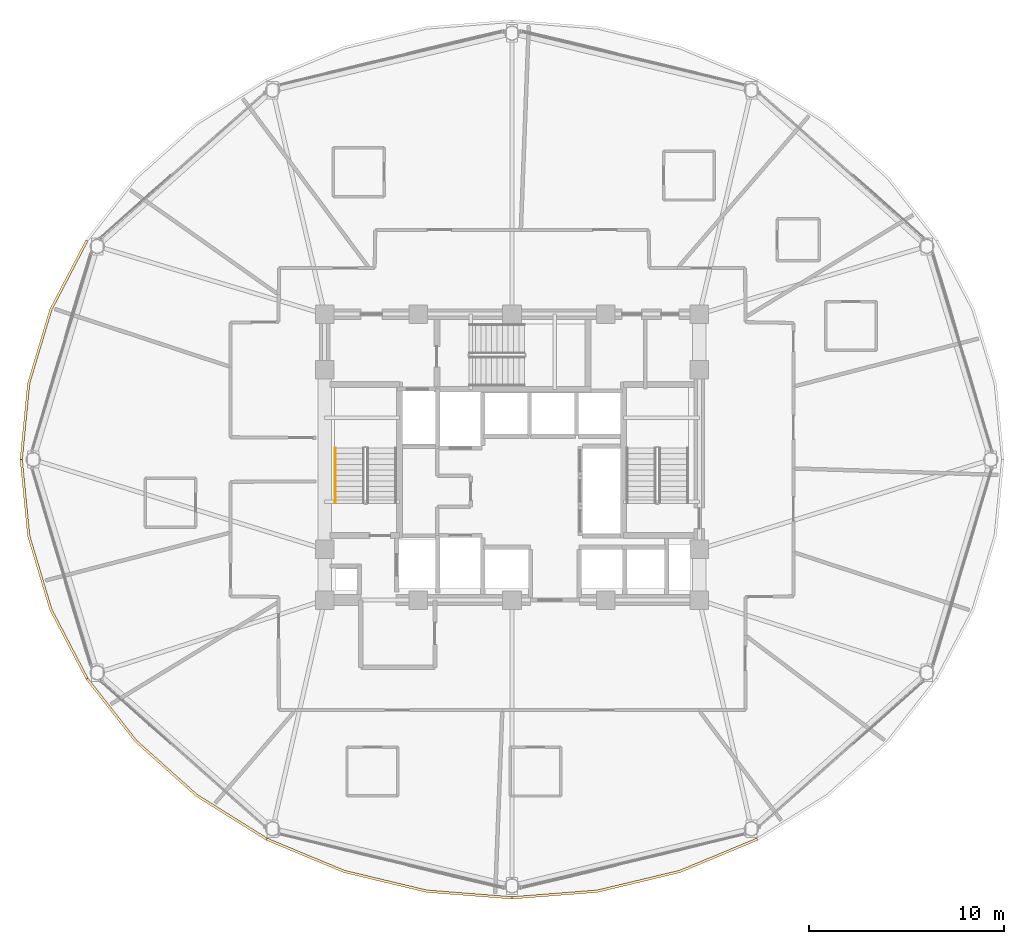
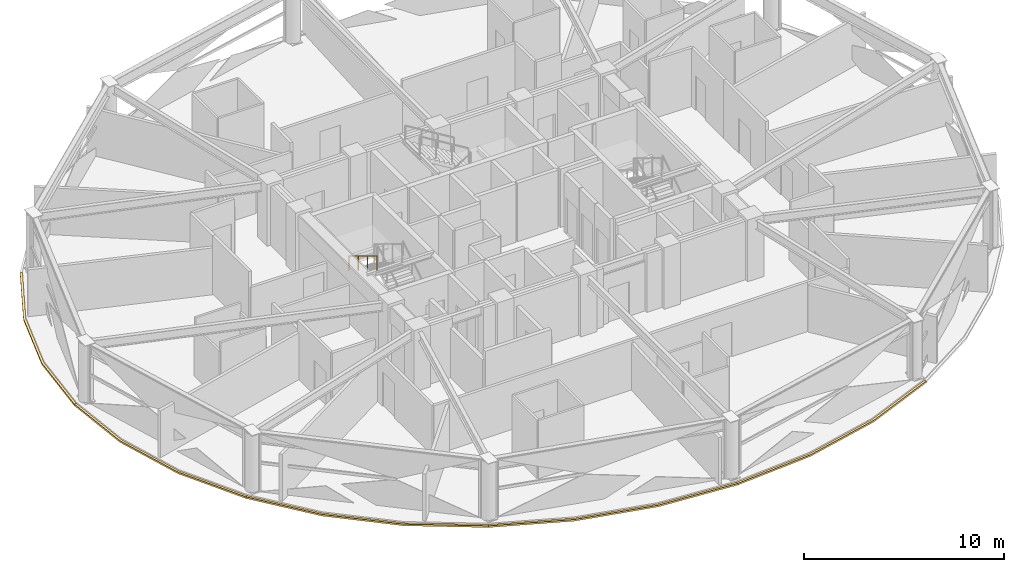
# One storey, part 26 of 29: 5 coverings, 1 railing.
"""IFC4 building model written with IfcOpenShell, lengths in metres."""

from ifc_helpers import new_model, si_unit, direction, frame, origin, origin_2d, place, context, subcontext, project, spatial, polyline, rectangle, outline, extrude, material, layer, layer_set, type_object, element, save


model = new_model("IFC4")

# Units and contexts
model_context = context("Model", 3, precision=1e-05, world=origin(), true_north=direction((0.0, 1.0)))
body_context = subcontext(model_context, "Body", "Model", "MODEL_VIEW")
ifc_project = project(units=[si_unit("LENGTHUNIT", "METRE"), si_unit("AREAUNIT", "SQUARE_METRE"), si_unit("VOLUMEUNIT", "CUBIC_METRE"), si_unit("PLANEANGLEUNIT", "RADIAN"), si_unit("MASSUNIT", "GRAM", prefix="KILO")], contexts=[model_context])

# Site, building, storey
site_placement = place(None, origin())
site = spatial("IfcSite", under=ifc_project, at=site_placement, CompositionType="ELEMENT")
building_placement = place(site_placement, origin())
building = spatial("IfcBuilding", under=site, at=building_placement, Name="Vantalir Tower", CompositionType="ELEMENT")
storey_placement = place(building_placement, frame((0.0, 0.0, 168.449951171875)))
storey = spatial("IfcBuildingStorey", under=building, at=storey_placement, Name="L42", CompositionType="ELEMENT", Elevation=168.449951171875)

# Coverings
ifc_material_1 = material(Name="Anodised champagne aluminium sill fascia", Category="aluminium")
ifc_layer = layer(ifc_material_1, 0.125)
ifc_layer_set = layer_set([ifc_layer], Name="Anodised champagne aluminium sill fascia")
covering_type = type_object("IfcCoveringType", Name="COV-SLAB-FASCIA-125", PredefinedType="CLADDING", material=ifc_layer_set)
covering_1_placement = place(storey_placement, frame((0.0, 0.0, -0.179931640625)))
element("IfcCovering", 1, at=covering_1_placement, inside=storey, type_object=covering_type, Name="L42 Perimeter Slab-Edge Sill Fascia 06", PredefinedType="CLADDING", context=body_context, shape_type="SweptSolid", body=[
    extrude(outline(polyline([(9.6669921875, 36.260986328125), (7.80908203125, 32.702880859375), (6.672119140625, 28.910888671875), (6.2890625, 25.0), (6.4140625, 25.0), (6.794921875, 28.888916015625), (7.927001953125, 32.660888671875), (9.77490234375, 36.198974609375), (9.6669921875, 36.260986328125)])), origin(), (0.0, 0.0, 1.0), 0.10498046875),
])
covering_2_placement = place(storey_placement, frame((0.0, 0.0, -0.179931640625)))
element("IfcCovering", 2, at=covering_2_placement, inside=storey, type_object=covering_type, Name="L42 Perimeter Slab-Edge Sill Fascia 07", PredefinedType="CLADDING", context=body_context, shape_type="SweptSolid", body=[
    extrude(outline(polyline([(6.2890625, 25.0), (6.672119140625, 21.089111328125), (7.80908203125, 17.297119140625), (9.6669921875, 13.738037109375), (9.77490234375, 13.801025390625), (7.927001953125, 17.339111328125), (6.794921875, 21.111083984375), (6.4140625, 25.0), (6.2890625, 25.0)])), origin(), (0.0, 0.0, 1.0), 0.10498046875),
])
covering_3_placement = place(storey_placement, frame((0.0, 0.0, -0.179931640625)))
element("IfcCovering", 3, at=covering_3_placement, inside=storey, type_object=covering_type, Name="L42 Perimeter Slab-Edge Sill Fascia 08", PredefinedType="CLADDING", context=body_context, shape_type="SweptSolid", body=[
    extrude(outline(polyline([(9.6669921875, 13.738037109375), (12.18701171875, 10.52197265625), (15.294921875, 7.74609375), (18.89404296875, 5.4951171875), (18.95703125, 5.60302734375), (15.375, 7.842041015625), (12.282958984375, 10.60302734375), (9.77490234375, 13.801025390625), (9.6669921875, 13.738037109375)])), origin(), (0.0, 0.0, 1.0), 0.10498046875),
])
covering_4_placement = place(storey_placement, frame((0.0, 0.0, -0.179931640625)))
element("IfcCovering", 4, at=covering_4_placement, inside=storey, type_object=covering_type, Name="L42 Perimeter Slab-Edge Sill Fascia 09", PredefinedType="CLADDING", context=body_context, shape_type="SweptSolid", body=[
    extrude(outline(polyline([(18.89404296875, 5.4951171875), (22.876953125, 3.8349609375), (27.1220703125, 2.819091796875), (31.5, 2.47705078125), (31.5, 2.60205078125), (27.14404296875, 2.94189453125), (22.919921875, 3.952880859375), (18.95703125, 5.60302734375), (18.89404296875, 5.4951171875)])), origin(), (0.0, 0.0, 1.0), 0.10498046875),
])
covering_5_placement = place(storey_placement, frame((0.0, 0.0, -0.179931640625)))
element("IfcCovering", 5, at=covering_5_placement, inside=storey, type_object=covering_type, Name="L42 Perimeter Slab-Edge Sill Fascia 10", PredefinedType="CLADDING", context=body_context, shape_type="SweptSolid", body=[
    extrude(outline(polyline([(31.5, 2.47705078125), (35.8779296875, 2.819091796875), (40.123046875, 3.8349609375), (44.10595703125, 5.4951171875), (44.04296875, 5.60302734375), (40.080078125, 3.952880859375), (35.85595703125, 2.94189453125), (31.5, 2.60205078125), (31.5, 2.47705078125)])), origin(), (0.0, 0.0, 1.0), 0.10498046875),
])

# Railing
ifc_material_2 = material(Name="Brushed stainless steel tubular handrail", Category="steel")
railing_type = type_object("IfcRailingType", Name="RAL-HANDRAIL-900", PredefinedType="HANDRAIL", material=ifc_material_2)
railing_placement = place(storey_placement, frame((22.449951171875, 25.590087890625, 2.04541015625)))
element("IfcRailing", 6, at=railing_placement, inside=storey, type_object=railing_type, Name="L42 ST1 stair handrail 2", PredefinedType="HANDRAIL", context=body_context, shape_type="SweptSolid", body=[
    extrude(rectangle(XDim=0.048095703125, YDim=0.048095703125, at=origin_2d()), frame((0.0, 0.0, 0.8759765625), z_axis=(0.0, -0.854169791009, 0.51999420009), x_axis=(1.0, 0.0, 0.0)), (0.0, 0.0, 1.0), 3.278076171875),
    extrude(rectangle(XDim=0.0419921875, YDim=0.0419921875, at=origin_2d()), origin(), (0.0, 0.0, 1.0), 0.851806640625),
    extrude(rectangle(XDim=0.0419921875, YDim=0.0419921875, at=origin_2d()), frame((0.0, -0.933349609375, 0.568115234375)), (0.0, 0.0, 1.0), 0.851806640625),
    extrude(rectangle(XDim=0.0419921875, YDim=0.0419921875, at=origin_2d()), frame((0.0, -1.86669921875, 1.136474609375)), (0.0, 0.0, 1.0), 0.851806640625),
    extrude(rectangle(XDim=0.0419921875, YDim=0.0419921875, at=origin_2d()), frame((0.0, -2.800048828125, 1.70458984375)), (0.0, 0.0, 1.0), 0.851806640625),
])

save(model, "model.ifc")
